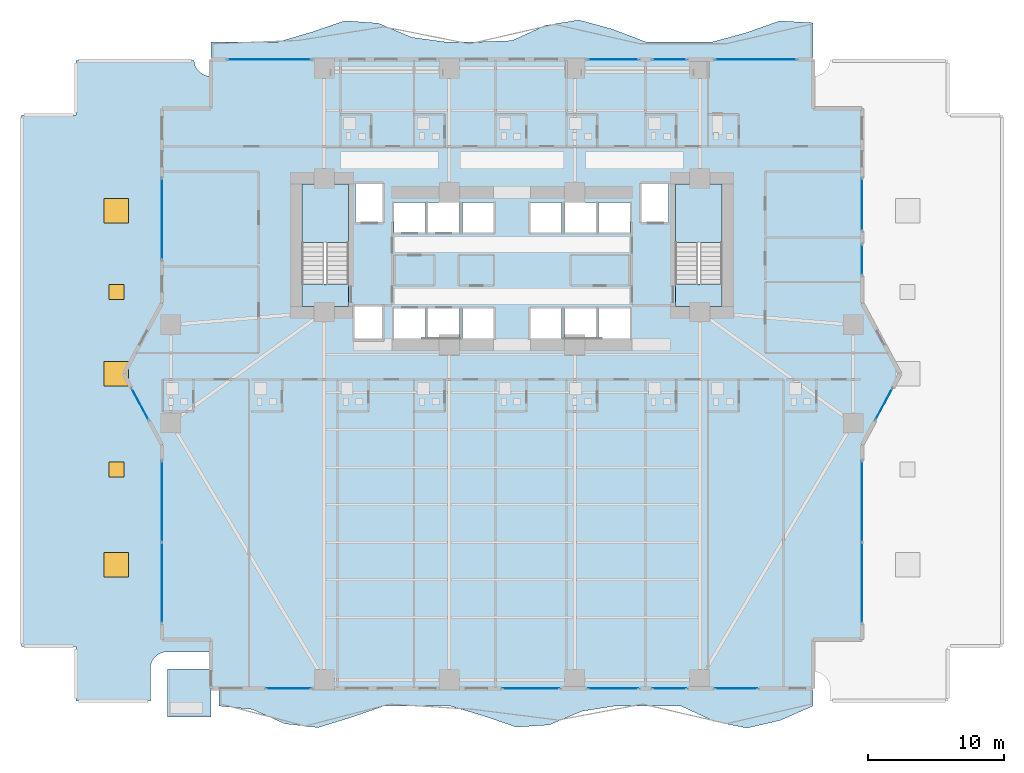
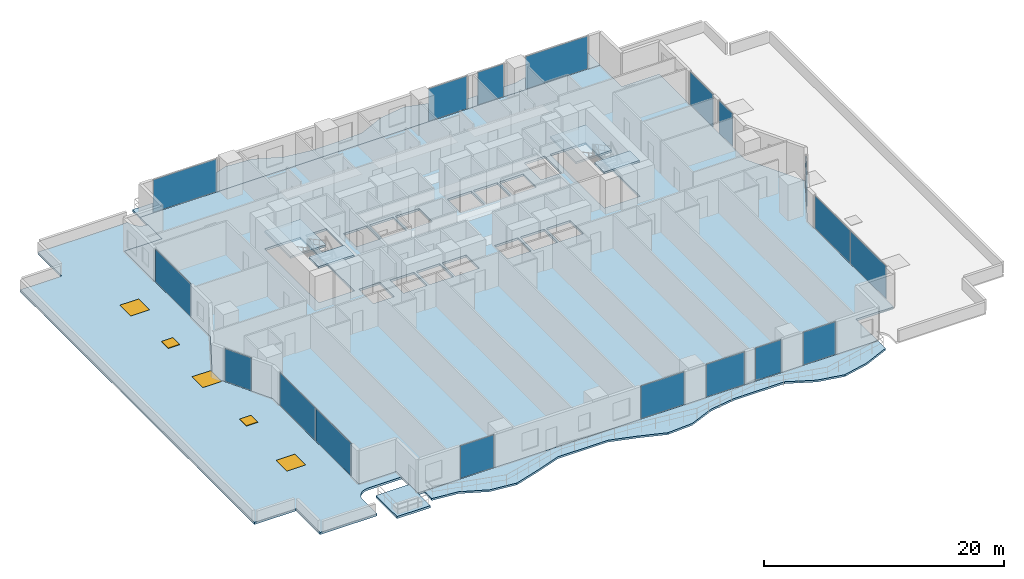
# One storey, part 17 of 30: 18 plates, 9 slabs, 3 windows, 2 doors, 5 openings, 18 elements without a shape of their own.
"""IFC4 building model written with IfcOpenShell, lengths in metres."""

from ifc_helpers import new_model, si_unit, direction, frame, origin, origin_2d, place, context, subcontext, project, spatial, polyline, rectangle, outline, extrude, material, layer, layer_set, type_object, element, fill, aggregate, save


model = new_model("IFC4")

# Units and contexts
model_context = context("Model", 3, precision=1e-05, world=origin(), true_north=direction((0.0, 1.0)))
body_context = subcontext(model_context, "Body", "Model", "MODEL_VIEW")
ifc_project = project(units=[si_unit("LENGTHUNIT", "METRE"), si_unit("AREAUNIT", "SQUARE_METRE"), si_unit("VOLUMEUNIT", "CUBIC_METRE"), si_unit("PLANEANGLEUNIT", "RADIAN"), si_unit("MASSUNIT", "GRAM", prefix="KILO")], contexts=[model_context])

# Site, building, storey
site_placement = place(None, origin())
site = spatial("IfcSite", under=ifc_project, at=site_placement, CompositionType="ELEMENT")
building_placement = place(site_placement, origin())
building = spatial("IfcBuilding", under=site, at=building_placement, Name="Zuhayl Quay Hotel", CompositionType="ELEMENT")
storey_placement = place(building_placement, frame((0.0, 0.0, 27.60009765625)))
storey = spatial("IfcBuildingStorey", under=building, at=storey_placement, Name="L05", CompositionType="ELEMENT", Elevation=27.60009765625)

# Curtain wall, plates
ifc_material_1 = material(Name="Anodised Aluminium 6063-T6", Category="aluminium")
ifc_layer_1 = layer(ifc_material_1, 0.18994140625, Name="Anodised Aluminium 6063-T6", Category="aluminium")
ifc_layer_set_1 = layer_set([ifc_layer_1], Name="Anodised Aluminium 6063-T6")
curtain_wall_type = type_object("IfcCurtainWallType", Name="CW_SYS_Z1", PredefinedType="USERDEFINED", material=ifc_layer_set_1)
curtain_wall_1_placement = place(storey_placement, origin())
curtain_wall_1 = element("IfcCurtainWall", 1, at=curtain_wall_1_placement, inside=storey, type_object=curtain_wall_type, Name="L05 Curtain Wall ENV_L05_E02_CW1", ObjectType="UNITISED CURTAIN WALL", PredefinedType="USERDEFINED")
ifc_material_2 = material(Name="Dark Ceramic-Fritted Solar Glass", Category="glass")
ifc_layer_2 = layer(ifc_material_2, 0.035888671875, Name="Dark Ceramic-Fritted Solar Glass", Category="glass")
ifc_layer_set_2 = layer_set([ifc_layer_2], Name="Dark Ceramic-Fritted Solar Glass")
plate_type = type_object("IfcPlateType", Name="PN_DARK_FRIT_Z1", PredefinedType="CURTAIN_PANEL", material=ifc_layer_set_2)
plate_1_placement = place(storey_placement, frame((-25.699951171875, -15.331298828125, 0.059814453125), z_axis=(0.0, 0.0, 1.0), x_axis=(0.0, 1.0, 0.0)))
plate_1 = element("IfcPlate", 2, at=plate_1_placement, type_object=plate_type, Name="CW-Z1 panel 1.1", PredefinedType="CURTAIN_PANEL", context=body_context, shape_type="SweptSolid", body=[
    extrude(rectangle(XDim=5.887451171875, YDim=0.035888671875, at=origin_2d()), origin(), (0.0, 0.0, 1.0), 3.31005859375),
])
plate_2_placement = place(storey_placement, frame((-25.699951171875, -9.36865234375, 0.059814453125), z_axis=(0.0, 0.0, 1.0), x_axis=(0.0, 1.0, 0.0)))
plate_2 = element("IfcPlate", 3, at=plate_2_placement, type_object=plate_type, Name="CW-Z1 panel 2.1", PredefinedType="CURTAIN_PANEL", context=body_context, shape_type="SweptSolid", body=[
    extrude(rectangle(XDim=5.887451171875, YDim=0.035888671875, at=origin_2d()), origin(), (0.0, 0.0, 1.0), 3.31005859375),
])
aggregate(curtain_wall_1, [plate_1, plate_2])

# Curtain wall, plate
curtain_wall_2_placement = place(storey_placement, origin())
curtain_wall_2 = element("IfcCurtainWall", 4, at=curtain_wall_2_placement, inside=storey, type_object=curtain_wall_type, Name="L05 Curtain Wall ENV_L05_E03_CW1", ObjectType="UNITISED CURTAIN WALL", PredefinedType="USERDEFINED")
plate_3_placement = place(storey_placement, frame((-27.306396484375, -2.216796875, 0.059814453125), z_axis=(0.0, 0.0, 1.0), x_axis=(-0.474091102632, 0.880475795468, 0.0)))
plate_3 = element("IfcPlate", 5, at=plate_3_placement, type_object=plate_type, Name="CW-Z1 panel 1.1", PredefinedType="CURTAIN_PANEL", context=body_context, shape_type="SweptSolid", body=[
    extrude(rectangle(XDim=2.58544921875, YDim=0.035888671875, at=origin_2d()), origin(), (0.0, 0.0, 1.0), 3.31005859375),
])
aggregate(curtain_wall_2, [plate_3])

curtain_wall_3_placement = place(storey_placement, origin())
curtain_wall_3 = element("IfcCurtainWall", 6, at=curtain_wall_3_placement, inside=storey, type_object=curtain_wall_type, Name="L05 Curtain Wall ENV_L05_E05_CW1", ObjectType="UNITISED CURTAIN WALL", PredefinedType="USERDEFINED")
plate_4_placement = place(storey_placement, frame((-25.699951171875, 11.375, 0.059814453125), z_axis=(0.0, 0.0, 1.0), x_axis=(0.0, 1.0, 0.0)))
plate_4 = element("IfcPlate", 7, at=plate_4_placement, type_object=plate_type, Name="CW-Z1 panel 1.1", PredefinedType="CURTAIN_PANEL", context=body_context, shape_type="SweptSolid", body=[
    extrude(rectangle(XDim=5.89990234375, YDim=0.035888671875, at=origin_2d()), origin(), (0.0, 0.0, 1.0), 3.31005859375),
])
aggregate(curtain_wall_3, [plate_4])

curtain_wall_4_placement = place(storey_placement, origin())
curtain_wall_4 = element("IfcCurtainWall", 8, at=curtain_wall_4_placement, inside=storey, type_object=curtain_wall_type, Name="L05 Curtain Wall ENV_L05_N_CW1", ObjectType="UNITISED CURTAIN WALL", PredefinedType="USERDEFINED")
plate_5_placement = place(storey_placement, frame((-17.8349609375, 23.10009765625, 0.059814453125), z_axis=(0.0, 0.0, 1.0), x_axis=(1.0, 0.0, 0.0)))
plate_5 = element("IfcPlate", 9, at=plate_5_placement, type_object=plate_type, Name="CW-Z1 panel 1.1", PredefinedType="CURTAIN_PANEL", context=body_context, shape_type="SweptSolid", body=[
    extrude(rectangle(XDim=6.080078125, YDim=0.035888671875, at=origin_2d()), origin(), (0.0, 0.0, 1.0), 3.31005859375),
])
aggregate(curtain_wall_4, [plate_5])

curtain_wall_5_placement = place(storey_placement, origin())
curtain_wall_5 = element("IfcCurtainWall", 10, at=curtain_wall_5_placement, inside=storey, type_object=curtain_wall_type, Name="L05 Curtain Wall ENV_L05_N_CW2", ObjectType="UNITISED CURTAIN WALL", PredefinedType="USERDEFINED")
plate_6_placement = place(storey_placement, frame((7.43505859375, 23.10009765625, 0.059814453125), z_axis=(0.0, 0.0, 1.0), x_axis=(1.0, 0.0, 0.0)))
plate_6 = element("IfcPlate", 11, at=plate_6_placement, type_object=plate_type, Name="CW-Z1 panel 1.1", PredefinedType="CURTAIN_PANEL", context=body_context, shape_type="SweptSolid", body=[
    extrude(rectangle(XDim=3.679931640625, YDim=0.035888671875, at=origin_2d()), origin(), (0.0, 0.0, 1.0), 3.31005859375),
])
aggregate(curtain_wall_5, [plate_6])

curtain_wall_6_placement = place(storey_placement, origin())
curtain_wall_6 = element("IfcCurtainWall", 12, at=curtain_wall_6_placement, inside=storey, type_object=curtain_wall_type, Name="L05 Curtain Wall ENV_L05_N_CW3", ObjectType="UNITISED CURTAIN WALL", PredefinedType="USERDEFINED")
plate_7_placement = place(storey_placement, frame((11.56494140625, 23.10009765625, 0.059814453125), z_axis=(0.0, 0.0, 1.0), x_axis=(1.0, 0.0, 0.0)))
plate_7 = element("IfcPlate", 13, at=plate_7_placement, type_object=plate_type, Name="CW-Z1 panel 1.1", PredefinedType="CURTAIN_PANEL", context=body_context, shape_type="SweptSolid", body=[
    extrude(rectangle(XDim=2.47998046875, YDim=0.035888671875, at=origin_2d()), origin(), (0.0, 0.0, 1.0), 3.31005859375),
])
aggregate(curtain_wall_6, [plate_7])

curtain_wall_7_placement = place(storey_placement, origin())
curtain_wall_7 = element("IfcCurtainWall", 14, at=curtain_wall_7_placement, inside=storey, type_object=curtain_wall_type, Name="L05 Curtain Wall ENV_L05_N_CW4", ObjectType="UNITISED CURTAIN WALL", PredefinedType="USERDEFINED")
plate_8_placement = place(storey_placement, frame((17.89990234375, 23.10009765625, 0.059814453125), z_axis=(0.0, 0.0, 1.0), x_axis=(1.0, 0.0, 0.0)))
plate_8 = element("IfcPlate", 15, at=plate_8_placement, type_object=plate_type, Name="CW-Z1 panel 1.1", PredefinedType="CURTAIN_PANEL", context=body_context, shape_type="SweptSolid", body=[
    extrude(rectangle(XDim=5.949951171875, YDim=0.035888671875, at=origin_2d()), origin(), (0.0, 0.0, 1.0), 3.31005859375),
])
aggregate(curtain_wall_7, [plate_8])

curtain_wall_8_placement = place(storey_placement, origin())
curtain_wall_8 = element("IfcCurtainWall", 16, at=curtain_wall_8_placement, inside=storey, type_object=curtain_wall_type, Name="L05 Curtain Wall ENV_L05_E11_CW1", ObjectType="UNITISED CURTAIN WALL", PredefinedType="USERDEFINED")
plate_9_placement = place(storey_placement, frame((25.699951171875, 12.43505859375, 0.059814453125), z_axis=(0.0, 0.0, 1.0), x_axis=(0.0, -1.0, 0.0)))
plate_9 = element("IfcPlate", 17, at=plate_9_placement, type_object=plate_type, Name="CW-Z1 panel 1.1", PredefinedType="CURTAIN_PANEL", context=body_context, shape_type="SweptSolid", body=[
    extrude(rectangle(XDim=3.780029296875, YDim=0.035888671875, at=origin_2d()), origin(), (0.0, 0.0, 1.0), 3.31005859375),
])
aggregate(curtain_wall_8, [plate_9])

curtain_wall_9_placement = place(storey_placement, origin())
curtain_wall_9 = element("IfcCurtainWall", 18, at=curtain_wall_9_placement, inside=storey, type_object=curtain_wall_type, Name="L05 Curtain Wall ENV_L05_E11_CW2", ObjectType="UNITISED CURTAIN WALL", PredefinedType="USERDEFINED")
plate_10_placement = place(storey_placement, frame((25.699951171875, 8.385009765625, 0.059814453125), z_axis=(0.0, 0.0, 1.0), x_axis=(0.0, -1.0, 0.0)))
plate_10 = element("IfcPlate", 19, at=plate_10_placement, type_object=plate_type, Name="CW-Z1 panel 1.1", PredefinedType="CURTAIN_PANEL", context=body_context, shape_type="SweptSolid", body=[
    extrude(rectangle(XDim=2.219970703125, YDim=0.035888671875, at=origin_2d()), origin(), (0.0, 0.0, 1.0), 3.31005859375),
])
aggregate(curtain_wall_9, [plate_10])

curtain_wall_10_placement = place(storey_placement, origin())
curtain_wall_10 = element("IfcCurtainWall", 20, at=curtain_wall_10_placement, inside=storey, type_object=curtain_wall_type, Name="L05 Curtain Wall ENV_L05_E13_CW1", ObjectType="UNITISED CURTAIN WALL", PredefinedType="USERDEFINED")
plate_11_placement = place(storey_placement, frame((27.306396484375, -2.216796875, 0.059814453125), z_axis=(0.0, 0.0, 1.0), x_axis=(-0.474091102632, -0.880475795468, 0.0)))
plate_11 = element("IfcPlate", 21, at=plate_11_placement, type_object=plate_type, Name="CW-Z1 panel 1.1", PredefinedType="CURTAIN_PANEL", context=body_context, shape_type="SweptSolid", body=[
    extrude(rectangle(XDim=2.58544921875, YDim=0.035888671875, at=origin_2d()), origin(), (0.0, 0.0, 1.0), 3.31005859375),
])
aggregate(curtain_wall_10, [plate_11])

# Curtain wall, plates
curtain_wall_11_placement = place(storey_placement, origin())
curtain_wall_11 = element("IfcCurtainWall", 22, at=curtain_wall_11_placement, inside=storey, type_object=curtain_wall_type, Name="L05 Curtain Wall ENV_L05_E14_CW1", ObjectType="UNITISED CURTAIN WALL", PredefinedType="USERDEFINED")
plate_12_placement = place(storey_placement, frame((25.699951171875, -9.36865234375, 0.059814453125), z_axis=(0.0, 0.0, 1.0), x_axis=(0.0, -1.0, 0.0)))
plate_12 = element("IfcPlate", 23, at=plate_12_placement, type_object=plate_type, Name="CW-Z1 panel 1.1", PredefinedType="CURTAIN_PANEL", context=body_context, shape_type="SweptSolid", body=[
    extrude(rectangle(XDim=5.887451171875, YDim=0.035888671875, at=origin_2d()), origin(), (0.0, 0.0, 1.0), 3.31005859375),
])
plate_13_placement = place(storey_placement, frame((25.699951171875, -15.331298828125, 0.059814453125), z_axis=(0.0, 0.0, 1.0), x_axis=(0.0, -1.0, 0.0)))
plate_13 = element("IfcPlate", 24, at=plate_13_placement, type_object=plate_type, Name="CW-Z1 panel 2.1", PredefinedType="CURTAIN_PANEL", context=body_context, shape_type="SweptSolid", body=[
    extrude(rectangle(XDim=5.887451171875, YDim=0.035888671875, at=origin_2d()), origin(), (0.0, 0.0, 1.0), 3.31005859375),
])
aggregate(curtain_wall_11, [plate_12, plate_13])

# Curtain wall, plate
curtain_wall_12_placement = place(storey_placement, origin())
curtain_wall_12 = element("IfcCurtainWall", 25, at=curtain_wall_12_placement, inside=storey, type_object=curtain_wall_type, Name="L05 Curtain Wall ENV_L05_S_CW1", ObjectType="UNITISED CURTAIN WALL", PredefinedType="USERDEFINED")
plate_14_placement = place(storey_placement, frame((16.47509765625, -23.10009765625, 0.059814453125), z_axis=(0.0, 0.0, 1.0), x_axis=(-1.0, 0.0, 0.0)))
plate_14 = element("IfcPlate", 26, at=plate_14_placement, type_object=plate_type, Name="CW-Z1 panel 1.1", PredefinedType="CURTAIN_PANEL", context=body_context, shape_type="SweptSolid", body=[
    extrude(rectangle(XDim=3.10009765625, YDim=0.035888671875, at=origin_2d()), origin(), (0.0, 0.0, 1.0), 3.31005859375),
])
aggregate(curtain_wall_12, [plate_14])

curtain_wall_13_placement = place(storey_placement, origin())
curtain_wall_13 = element("IfcCurtainWall", 27, at=curtain_wall_13_placement, inside=storey, type_object=curtain_wall_type, Name="L05 Curtain Wall ENV_L05_S_CW2", ObjectType="UNITISED CURTAIN WALL", PredefinedType="USERDEFINED")
plate_15_placement = place(storey_placement, frame((11.56494140625, -23.10009765625, 0.059814453125), z_axis=(0.0, 0.0, 1.0), x_axis=(-1.0, 0.0, 0.0)))
plate_15 = element("IfcPlate", 28, at=plate_15_placement, type_object=plate_type, Name="CW-Z1 panel 1.1", PredefinedType="CURTAIN_PANEL", context=body_context, shape_type="SweptSolid", body=[
    extrude(rectangle(XDim=2.47998046875, YDim=0.035888671875, at=origin_2d()), origin(), (0.0, 0.0, 1.0), 3.31005859375),
])
aggregate(curtain_wall_13, [plate_15])

curtain_wall_14_placement = place(storey_placement, origin())
curtain_wall_14 = element("IfcCurtainWall", 29, at=curtain_wall_14_placement, inside=storey, type_object=curtain_wall_type, Name="L05 Curtain Wall ENV_L05_S_CW3", ObjectType="UNITISED CURTAIN WALL", PredefinedType="USERDEFINED")
plate_16_placement = place(storey_placement, frame((7.43505859375, -23.10009765625, 0.059814453125), z_axis=(0.0, 0.0, 1.0), x_axis=(-1.0, 0.0, 0.0)))
plate_16 = element("IfcPlate", 30, at=plate_16_placement, type_object=plate_type, Name="CW-Z1 panel 1.1", PredefinedType="CURTAIN_PANEL", context=body_context, shape_type="SweptSolid", body=[
    extrude(rectangle(XDim=3.679931640625, YDim=0.035888671875, at=origin_2d()), origin(), (0.0, 0.0, 1.0), 3.31005859375),
])
aggregate(curtain_wall_14, [plate_16])

curtain_wall_15_placement = place(storey_placement, origin())
curtain_wall_15 = element("IfcCurtainWall", 31, at=curtain_wall_15_placement, inside=storey, type_object=curtain_wall_type, Name="L05 Curtain Wall ENV_L05_S_CW4", ObjectType="UNITISED CURTAIN WALL", PredefinedType="USERDEFINED")
plate_17_placement = place(storey_placement, frame((1.39990234375, -23.10009765625, 0.059814453125), z_axis=(0.0, 0.0, 1.0), x_axis=(-1.0, 0.0, 0.0)))
plate_17 = element("IfcPlate", 32, at=plate_17_placement, type_object=plate_type, Name="CW-Z1 panel 1.1", PredefinedType="CURTAIN_PANEL", context=body_context, shape_type="SweptSolid", body=[
    extrude(rectangle(XDim=4.14990234375, YDim=0.035888671875, at=origin_2d()), origin(), (0.0, 0.0, 1.0), 3.31005859375),
])
aggregate(curtain_wall_15, [plate_17])

curtain_wall_16_placement = place(storey_placement, origin())
curtain_wall_16 = element("IfcCurtainWall", 33, at=curtain_wall_16_placement, inside=storey, type_object=curtain_wall_type, Name="L05 Curtain Wall ENV_L05_S_CW5", ObjectType="UNITISED CURTAIN WALL", PredefinedType="USERDEFINED")
plate_18_placement = place(storey_placement, frame((-16.409912109375, -23.10009765625, 0.059814453125), z_axis=(0.0, 0.0, 1.0), x_axis=(-1.0, 0.0, 0.0)))
plate_18 = element("IfcPlate", 34, at=plate_18_placement, type_object=plate_type, Name="CW-Z1 panel 1.1", PredefinedType="CURTAIN_PANEL", context=body_context, shape_type="SweptSolid", body=[
    extrude(rectangle(XDim=3.22998046875, YDim=0.035888671875, at=origin_2d()), origin(), (0.0, 0.0, 1.0), 3.31005859375),
])
aggregate(curtain_wall_16, [plate_18])

# Slabs
ifc_material_3 = material(Name="Concrete C45/55", Category="concrete")
ifc_layer_3 = layer(ifc_material_3, 0.195068359375, Name="Concrete C45/55", Category="concrete")
ifc_layer_set_3 = layer_set([ifc_layer_3], Name="Concrete C45/55")
slab_type_1 = type_object("IfcSlabType", Name="SL_BALCONY_195", PredefinedType="FLOOR", material=ifc_layer_set_3)
slab_1_placement = place(storey_placement, frame((0.0, 0.0, -0.195068359375)))
element("IfcSlab", 35, at=slab_1_placement, inside=storey, type_object=slab_type_1, Name="L05 Exterior Rippling Balcony Slab North", PredefinedType="FLOOR", context=body_context, shape_type="SweptSolid", body=[
    extrude(outline(polyline([(-22.10009765625, 23.10009765625), (22.10009765625, 23.10009765625), (22.10009765625, 25.7802734375), (19.644287109375, 25.9189453125), (17.18896484375, 25.052490234375), (14.7333984375, 24.3798828125), (12.27783203125, 24.3798828125), (9.822265625, 24.3798828125), (7.36669921875, 25.3173828125), (4.9111328125, 25.988525390625), (2.45556640625, 25.594482421875), (0.0, 24.47412109375), (-2.45556640625, 24.3798828125), (-4.9111328125, 24.3798828125), (-7.36669921875, 24.71728515625), (-9.822265625, 25.758056640625), (-12.27783203125, 25.931884765625), (-14.7333984375, 25.08935546875), (-17.18896484375, 24.3798828125), (-19.644287109375, 24.3798828125), (-22.10009765625, 24.3798828125), (-22.10009765625, 23.10009765625)])), origin(), (0.0, 0.0, 1.0), 0.195068359375),
])
slab_2_placement = place(storey_placement, frame((0.0, 0.0, -0.195068359375)))
element("IfcSlab", 36, at=slab_2_placement, inside=storey, type_object=slab_type_1, Name="L05 Exterior Rippling Balcony Slab South", PredefinedType="FLOOR", context=body_context, shape_type="SweptSolid", body=[
    extrude(outline(polyline([(-21.5, -24.3798828125), (-19.077880859375, -24.630126953125), (-16.655517578125, -25.693359375), (-14.2333984375, -25.965576171875), (-11.81103515625, -25.21826171875), (-9.388916015625, -24.3798828125), (-6.966796875, -24.3798828125), (-4.54443359375, -24.3798828125), (-2.122314453125, -25.094482421875), (0.300048828125, -25.92822265625), (2.72216796875, -25.77392578125), (5.144287109375, -24.760986328125), (7.566650390625, -24.3798828125), (9.989013671875, -24.3798828125), (12.4111328125, -24.384521484375), (14.833251953125, -25.510986328125), (17.255615234375, -25.999267578125), (19.677734375, -25.43994140625), (22.10009765625, -24.3798828125), (22.10009765625, -23.10009765625), (-21.5, -23.10009765625), (-21.5, -24.3798828125)])), origin(), (0.0, 0.0, 1.0), 0.195068359375),
])
ifc_layer_4 = layer(ifc_material_3, 0.219970703125, Name="Concrete C45/55", Category="concrete")
ifc_layer_set_4 = layer_set([ifc_layer_4], Name="Concrete C45/55")
slab_type_2 = type_object("IfcSlabType", Name="SL_FLOOR_220", PredefinedType="FLOOR", material=ifc_layer_set_4)
slab_3_placement = place(storey_placement, frame((0.0, 0.0, -0.22021484375)))
element("IfcSlab", 37, at=slab_3_placement, inside=storey, type_object=slab_type_2, Name="L05 Structural Floor Slab", PredefinedType="FLOOR", context=body_context, shape_type="SweptSolid", body=[
    extrude(outline(polyline([(-22.10009765625, -23.10009765625), (22.10009765625, -23.10009765625), (22.10009765625, -19.5), (25.699951171875, -19.5), (25.699951171875, -5.199951171875), (28.5, 0.0), (25.699951171875, 5.199951171875), (25.699951171875, 19.5), (22.10009765625, 19.5), (22.10009765625, 23.10009765625), (-22.10009765625, 23.10009765625), (-22.10009765625, 19.5), (-25.699951171875, 19.5), (-25.699951171875, 5.199951171875), (-28.5, 0.0), (-25.699951171875, -5.199951171875), (-25.699951171875, -19.5), (-22.10009765625, -19.5), (-22.10009765625, -23.10009765625)]), holes=[polyline([(-12.0, 4.949951171875), (-12.0, 13.949951171875), (-15.429931640625, 13.949951171875), (-15.429931640625, 4.949951171875), (-12.0, 4.949951171875)]), polyline([(15.429931640625, 4.949951171875), (15.429931640625, 13.949951171875), (12.0, 13.949951171875), (12.0, 4.949951171875), (15.429931640625, 4.949951171875)]), polyline([(-11.5, 11.14990234375), (-9.5, 11.14990234375), (-9.5, 13.949951171875), (-11.5, 13.949951171875), (-11.5, 11.14990234375)]), polyline([(9.5, 11.14990234375), (11.5, 11.14990234375), (11.5, 13.949951171875), (9.5, 13.949951171875), (9.5, 11.14990234375)]), polyline([(-8.64990234375, 2.60009765625), (-6.35009765625, 2.60009765625), (-6.35009765625, 4.800048828125), (-8.64990234375, 4.800048828125), (-8.64990234375, 2.60009765625)]), polyline([(-6.14990234375, 2.60009765625), (-3.85009765625, 2.60009765625), (-3.85009765625, 4.800048828125), (-6.14990234375, 4.800048828125), (-6.14990234375, 2.60009765625)]), polyline([(-8.64990234375, 10.39990234375), (-6.35009765625, 10.39990234375), (-6.35009765625, 12.60009765625), (-8.64990234375, 12.60009765625), (-8.64990234375, 10.39990234375)]), polyline([(-6.14990234375, 10.39990234375), (-3.85009765625, 10.39990234375), (-3.85009765625, 12.60009765625), (-6.14990234375, 12.60009765625), (-6.14990234375, 10.39990234375)]), polyline([(-3.64990234375, 2.60009765625), (-1.35009765625, 2.60009765625), (-1.35009765625, 4.800048828125), (-3.64990234375, 4.800048828125), (-3.64990234375, 2.60009765625)]), polyline([(1.35009765625, 2.60009765625), (3.64990234375, 2.60009765625), (3.64990234375, 4.800048828125), (1.35009765625, 4.800048828125), (1.35009765625, 2.60009765625)]), polyline([(-3.64990234375, 10.39990234375), (-1.35009765625, 10.39990234375), (-1.35009765625, 12.60009765625), (-3.64990234375, 12.60009765625), (-3.64990234375, 10.39990234375)]), polyline([(1.35009765625, 10.39990234375), (3.64990234375, 10.39990234375), (3.64990234375, 12.60009765625), (1.35009765625, 12.60009765625), (1.35009765625, 10.39990234375)]), polyline([(3.85009765625, 2.60009765625), (6.14990234375, 2.60009765625), (6.14990234375, 4.800048828125), (3.85009765625, 4.800048828125), (3.85009765625, 2.60009765625)]), polyline([(6.35009765625, 2.60009765625), (8.64990234375, 2.60009765625), (8.64990234375, 4.800048828125), (6.35009765625, 4.800048828125), (6.35009765625, 2.60009765625)]), polyline([(3.85009765625, 10.39990234375), (6.14990234375, 10.39990234375), (6.14990234375, 12.60009765625), (3.85009765625, 12.60009765625), (3.85009765625, 10.39990234375)]), polyline([(6.35009765625, 10.39990234375), (8.64990234375, 10.39990234375), (8.64990234375, 12.60009765625), (6.35009765625, 12.60009765625), (6.35009765625, 10.39990234375)]), polyline([(-11.550048828125, 2.550048828125), (-9.550048828125, 2.550048828125), (-9.550048828125, 4.949951171875), (-11.550048828125, 4.949951171875), (-11.550048828125, 2.550048828125)])]), origin(), (0.0, 0.0, 1.0), 0.22021484375),
])

# Slab, openings, doors, windows
ifc_layer_5 = layer(ifc_material_3, 0.219970703125, Name="Concrete C45/55", Category="concrete")
ifc_layer_set_5 = layer_set([ifc_layer_5], Name="Concrete C45/55")
slab_type_3 = type_object("IfcSlabType", Name="SL_SETBACK_ROOF_220", PredefinedType="ROOF", material=ifc_layer_set_5)
slab_4_placement = place(storey_placement, frame((0.0, 0.0, -0.22021484375)))
slab_4 = element("IfcSlab", 38, at=slab_4_placement, inside=storey, type_object=slab_type_3, Name="L05 Setback Wing Roof Slab 1", PredefinedType="ROOF", context=body_context, shape_type="SweptSolid", body=[
    extrude(outline(polyline([(-32.0, -20.0), (-32.0, -24.0), (-26.550048828125, -24.0), (-26.550048828125, -21.64990234375), (-26.5439453125, -21.527587890625), (-26.52587890625, -21.406005859375), (-26.49609375, -21.287109375), (-26.454833984375, -21.171630859375), (-26.40234375, -21.060791015625), (-26.33935546875, -20.95556640625), (-26.266357421875, -20.85693359375), (-26.183837890625, -20.76611328125), (-26.093017578125, -20.68359375), (-25.994384765625, -20.610595703125), (-25.88916015625, -20.547607421875), (-25.7783203125, -20.4951171875), (-25.662841796875, -20.453857421875), (-25.5439453125, -20.424072265625), (-25.422607421875, -20.406005859375), (-25.300048828125, -20.39990234375), (-22.10009765625, -20.39990234375), (-22.10009765625, -19.5), (-25.699951171875, -19.5), (-25.699951171875, -5.199951171875), (-28.5, 0.0), (-25.699951171875, 5.199951171875), (-25.699951171875, 19.5), (-22.10009765625, 19.5), (-22.10009765625, 21.85009765625), (-22.222412109375, 21.85595703125), (-22.343994140625, 21.8740234375), (-22.462890625, 21.90380859375), (-22.578369140625, 21.9453125), (-22.689208984375, 21.99755859375), (-22.79443359375, 22.060791015625), (-22.89306640625, 22.1337890625), (-22.98388671875, 22.216064453125), (-23.06640625, 22.306884765625), (-23.139404296875, 22.405517578125), (-23.202392578125, 22.5107421875), (-23.2548828125, 22.62158203125), (-23.296142578125, 22.737060546875), (-23.325927734375, 22.856201171875), (-23.343994140625, 22.9775390625), (-23.34521484375, 23.0), (-32.0, 23.0), (-32.0, 19.0), (-36.0, 19.0), (-36.0, -20.0), (-32.0, -20.0)])), origin(), (0.0, 0.0, 1.0), 0.22021484375),
])
opening_1_placement = place(slab_4_placement, frame((-29.050048828125, -14.0, 0.0)))
opening_1 = element("IfcOpeningElement", 39, at=opening_1_placement, cuts=slab_4, Name="Opening SK01", PredefinedType="OPENING", context=body_context, shape_type="SweptSolid", body=[
    extrude(rectangle(XDim=1.800048828125, YDim=1.800048828125, at=origin_2d()), frame((0.0, 0.0, -0.010009765625)), (0.0, 0.0, 1.0), 0.240234375),
])
opening_2_placement = place(slab_4_placement, frame((-29.050048828125, 0.0, 0.0)))
opening_2 = element("IfcOpeningElement", 40, at=opening_2_placement, cuts=slab_4, Name="Opening SK01", PredefinedType="OPENING", context=body_context, shape_type="SweptSolid", body=[
    extrude(rectangle(XDim=1.800048828125, YDim=1.800048828125, at=origin_2d()), frame((0.0, 0.0, -0.010009765625)), (0.0, 0.0, 1.0), 0.240234375),
])
opening_3_placement = place(slab_4_placement, frame((-29.050048828125, 12.0, 0.0)))
opening_3 = element("IfcOpeningElement", 41, at=opening_3_placement, cuts=slab_4, Name="Opening SK01", PredefinedType="OPENING", context=body_context, shape_type="SweptSolid", body=[
    extrude(rectangle(XDim=1.800048828125, YDim=1.800048828125, at=origin_2d()), frame((0.0, 0.0, -0.010009765625)), (0.0, 0.0, 1.0), 0.240234375),
])
opening_4_placement = place(slab_4_placement, frame((-29.050048828125, -7.0, 0.0)))
opening_4 = element("IfcOpeningElement", 42, at=opening_4_placement, cuts=slab_4, Name="Opening RH01", PredefinedType="OPENING", context=body_context, shape_type="SweptSolid", body=[
    extrude(rectangle(XDim=1.10009765625, YDim=1.10009765625, at=origin_2d()), frame((0.0, 0.0, -0.010009765625)), (0.0, 0.0, 1.0), 0.290283203125),
])
opening_5_placement = place(slab_4_placement, frame((-29.050048828125, 6.0, 0.0)))
opening_5 = element("IfcOpeningElement", 43, at=opening_5_placement, cuts=slab_4, Name="Opening RH01", PredefinedType="OPENING", context=body_context, shape_type="SweptSolid", body=[
    extrude(rectangle(XDim=1.10009765625, YDim=1.10009765625, at=origin_2d()), frame((0.0, 0.0, -0.010009765625)), (0.0, 0.0, 1.0), 0.290283203125),
])
ifc_material_4 = material(Name="Steel ASTM A992 Grade 50", Category="steel")
door_type = type_object("IfcDoorType", Name="DR_ROOF_HATCH_1100", OperationType="SINGLE_SWING_LEFT", PredefinedType="TRAPDOOR", material=ifc_material_4)
door_1_placement = place(opening_4_placement, frame((0.0, 0.0, 0.22021484375)))
door_1 = element("IfcDoor", 44, at=door_1_placement, inside=storey, type_object=door_type, Name="Podium Roof Maintenance Hatch RH01-01", OperationType="SINGLE_SWING_LEFT", OverallHeight=1.10009765625, OverallWidth=1.10009765625, PredefinedType="TRAPDOOR", context=body_context, shape_type="SweptSolid", body=[
    extrude(rectangle(XDim=1.10009765625, YDim=1.10009765625, at=origin_2d()), origin(), (0.0, 0.0, 1.0), 0.050048828125),
])
fill(opening_4, door_1)
door_2_placement = place(opening_5_placement, frame((0.0, 0.0, 0.22021484375)))
door_2 = element("IfcDoor", 45, at=door_2_placement, inside=storey, type_object=door_type, Name="Podium Roof Maintenance Hatch RH01-02", OperationType="SINGLE_SWING_LEFT", OverallHeight=1.10009765625, OverallWidth=1.10009765625, PredefinedType="TRAPDOOR", context=body_context, shape_type="SweptSolid", body=[
    extrude(rectangle(XDim=1.10009765625, YDim=1.10009765625, at=origin_2d()), origin(), (0.0, 0.0, 1.0), 0.050048828125),
])
fill(opening_5, door_2)
ifc_material_5 = material(Name="Low-E Insulated Skylight Glass", Category="glass")
window_type = type_object("IfcWindowType", Name="WN_SKYLIGHT_1800", PartitioningType="SINGLE_PANEL", PredefinedType="SKYLIGHT", material=ifc_material_5)
window_1_placement = place(opening_1_placement, frame((0.0, 0.0, 0.170166015625)))
window_1 = element("IfcWindow", 46, at=window_1_placement, inside=storey, type_object=window_type, Name="Podium Wing Daylight Skylight SK01-01", OverallHeight=1.800048828125, OverallWidth=1.800048828125, PartitioningType="SINGLE_PANEL", PredefinedType="SKYLIGHT", context=body_context, shape_type="SweptSolid", body=[
    extrude(rectangle(XDim=1.800048828125, YDim=1.800048828125, at=origin_2d()), origin(), (0.0, 0.0, 1.0), 0.050048828125),
])
fill(opening_1, window_1)
window_2_placement = place(opening_2_placement, frame((0.0, 0.0, 0.170166015625)))
window_2 = element("IfcWindow", 47, at=window_2_placement, inside=storey, type_object=window_type, Name="Podium Wing Daylight Skylight SK01-02", OverallHeight=1.800048828125, OverallWidth=1.800048828125, PartitioningType="SINGLE_PANEL", PredefinedType="SKYLIGHT", context=body_context, shape_type="SweptSolid", body=[
    extrude(rectangle(XDim=1.800048828125, YDim=1.800048828125, at=origin_2d()), origin(), (0.0, 0.0, 1.0), 0.050048828125),
])
fill(opening_2, window_2)
window_3_placement = place(opening_3_placement, frame((0.0, 0.0, 0.170166015625)))
window_3 = element("IfcWindow", 48, at=window_3_placement, inside=storey, type_object=window_type, Name="Podium Wing Daylight Skylight SK01-03", OverallHeight=1.800048828125, OverallWidth=1.800048828125, PartitioningType="SINGLE_PANEL", PredefinedType="SKYLIGHT", context=body_context, shape_type="SweptSolid", body=[
    extrude(rectangle(XDim=1.800048828125, YDim=1.800048828125, at=origin_2d()), origin(), (0.0, 0.0, 1.0), 0.050048828125),
])
fill(opening_3, window_3)

# Stair, slabs
stair_type = type_object("IfcStairType", Name="ST_DOGLEG_TOWER", PredefinedType="HALF_TURN_STAIR", material=ifc_material_3)
stair_1_placement = place(storey_placement, origin())
stair_1 = element("IfcStair", 49, at=stair_1_placement, inside=storey, type_object=stair_type, Name="L05 Smokeproof Exit Stair ST1", PredefinedType="HALF_TURN_STAIR")
ifc_layer_6 = layer(ifc_material_3, 0.199951171875, Name="Concrete C45/55", Category="concrete")
ifc_layer_set_6 = layer_set([ifc_layer_6], Name="Concrete C45/55")
slab_type_4 = type_object("IfcSlabType", Name="SL_STAIR_LANDING_200", PredefinedType="LANDING", material=ifc_layer_set_6)
slab_5_placement = place(storey_placement, frame((0.0, 0.0, 1.625)))
slab_5 = element("IfcSlab", 50, at=slab_5_placement, type_object=slab_type_4, Name="ST1 landing 1", PredefinedType="LANDING", context=body_context, shape_type="SweptSolid", body=[
    extrude(outline(polyline([(-12.0, 9.64990234375), (-12.0, 13.949951171875), (-15.429931640625, 13.949951171875), (-15.429931640625, 9.64990234375), (-12.0, 9.64990234375)])), origin(), (0.0, 0.0, 1.0), 0.199951171875),
])
slab_6_placement = place(storey_placement, frame((0.0, 0.0, 3.449951171875)))
slab_6 = element("IfcSlab", 51, at=slab_6_placement, type_object=slab_type_4, Name="ST1 landing 2", PredefinedType="LANDING", context=body_context, shape_type="SweptSolid", body=[
    extrude(outline(polyline([(-12.0, 4.949951171875), (-12.0, 6.590087890625), (-15.429931640625, 6.590087890625), (-15.429931640625, 4.949951171875), (-12.0, 4.949951171875)])), origin(), (0.0, 0.0, 1.0), 0.199951171875),
])
aggregate(stair_1, [slab_5, slab_6])

stair_2_placement = place(storey_placement, origin())
stair_2 = element("IfcStair", 52, at=stair_2_placement, inside=storey, type_object=stair_type, Name="L05 Smokeproof Exit Stair ST2", PredefinedType="HALF_TURN_STAIR")
slab_7_placement = place(storey_placement, frame((0.0, 0.0, 1.625)))
slab_7 = element("IfcSlab", 53, at=slab_7_placement, type_object=slab_type_4, Name="ST2 landing 1", PredefinedType="LANDING", context=body_context, shape_type="SweptSolid", body=[
    extrude(outline(polyline([(15.429931640625, 9.64990234375), (15.429931640625, 13.949951171875), (12.0, 13.949951171875), (12.0, 9.64990234375), (15.429931640625, 9.64990234375)])), origin(), (0.0, 0.0, 1.0), 0.199951171875),
])
slab_8_placement = place(storey_placement, frame((0.0, 0.0, 3.449951171875)))
slab_8 = element("IfcSlab", 54, at=slab_8_placement, type_object=slab_type_4, Name="ST2 landing 2", PredefinedType="LANDING", context=body_context, shape_type="SweptSolid", body=[
    extrude(outline(polyline([(15.429931640625, 4.949951171875), (15.429931640625, 6.590087890625), (12.0, 6.590087890625), (12.0, 4.949951171875), (15.429931640625, 4.949951171875)])), origin(), (0.0, 0.0, 1.0), 0.199951171875),
])
aggregate(stair_2, [slab_7, slab_8])

# Slab
ifc_layer_7 = layer(ifc_material_3, 0.219970703125, Name="Concrete C45/55", Category="concrete")
ifc_layer_set_7 = layer_set([ifc_layer_7], Name="Concrete C45/55")
slab_type_5 = type_object("IfcSlabType", Name="SL_TERRACE_235", PredefinedType="FLOOR", material=ifc_layer_set_7)
slab_9_placement = place(storey_placement, frame((0.0, 0.0, -0.22021484375)))
element("IfcSlab", 55, at=slab_9_placement, inside=storey, type_object=slab_type_5, Name="L05 Exterior Sky-Terrace Slab L05_SPIRAL_SW", PredefinedType="FLOOR", context=body_context, shape_type="SweptSolid", body=[
    extrude(outline(polyline([(-25.300048828125, -25.199951171875), (-22.10009765625, -25.199951171875), (-22.10009765625, -21.64990234375), (-25.300048828125, -21.64990234375), (-25.300048828125, -25.199951171875)])), origin(), (0.0, 0.0, 1.0), 0.22021484375),
])

save(model, "model.ifc")
